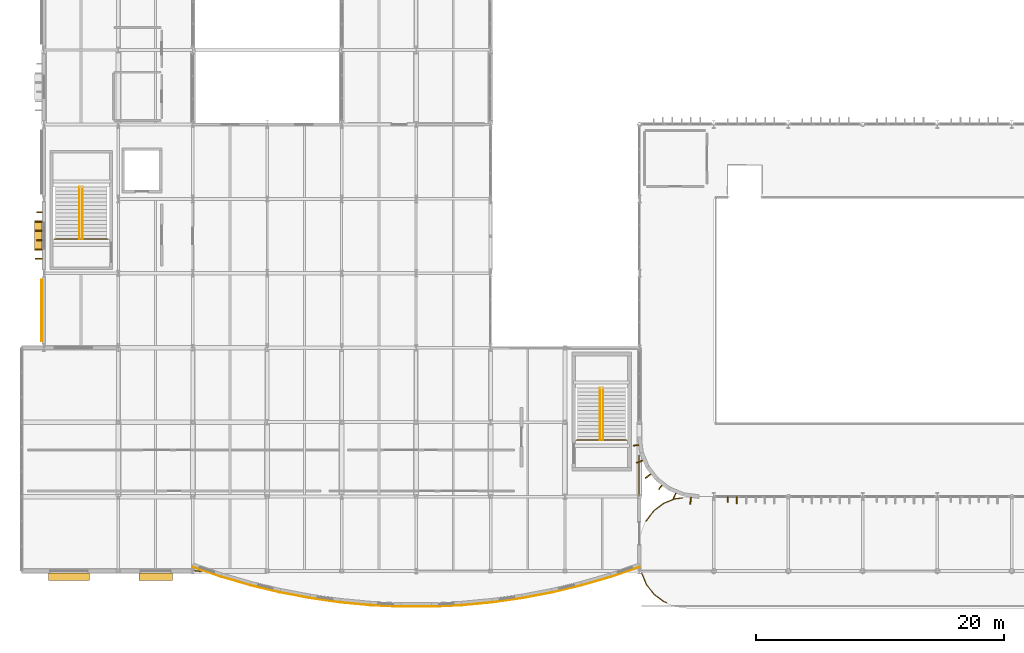
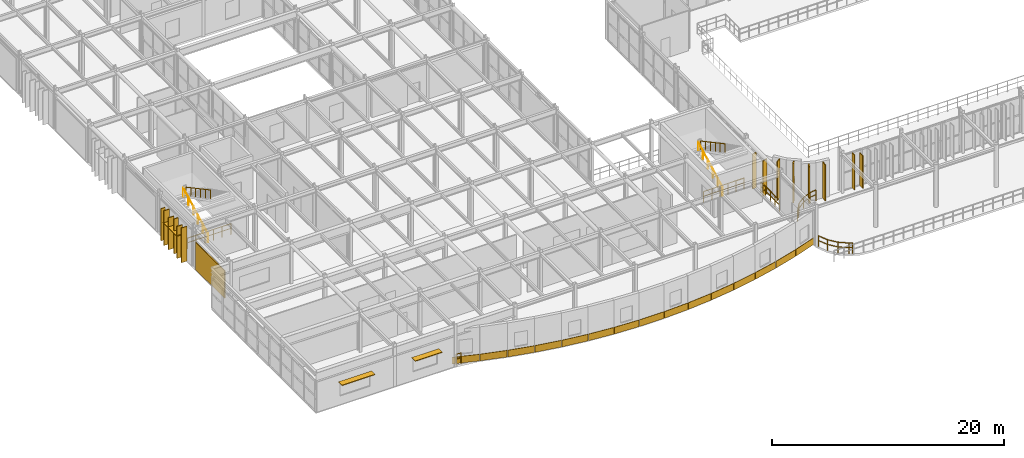
# One storey, part 80 of 96: 29 coverings, 11 railings, 4 shading devices.
"""IFC4 building model written with IfcOpenShell, lengths in metres."""

from ifc_helpers import new_model, si_unit, direction, frame, origin, origin_2d, place, context, subcontext, project, spatial, rectangle, circle, extrude, material, layer, layer_set, type_object, element, save


model = new_model("IFC4")

# Units and contexts
model_context = context("Model", 3, precision=1e-05, world=origin(), true_north=direction((0.0, 1.0)))
body_context = subcontext(model_context, "Body", "Model", "MODEL_VIEW")
ifc_project = project(units=[si_unit("LENGTHUNIT", "METRE"), si_unit("AREAUNIT", "SQUARE_METRE"), si_unit("VOLUMEUNIT", "CUBIC_METRE"), si_unit("PLANEANGLEUNIT", "RADIAN"), si_unit("MASSUNIT", "GRAM", prefix="KILO")], contexts=[model_context])

# Site, building, storey
site_placement = place(None, origin())
site = spatial("IfcSite", under=ifc_project, at=site_placement, CompositionType="ELEMENT")
building_placement = place(site_placement, origin())
building = spatial("IfcBuilding", under=site, at=building_placement, Name="Varnakota Square Police Headquarters", CompositionType="ELEMENT")
storey_placement = place(building_placement, frame((0.0, 0.0, 4.800048828125)))
storey = spatial("IfcBuildingStorey", under=building, at=storey_placement, Name="L01", CompositionType="ELEMENT", Elevation=4.800048828125)

# Coverings
ifc_material_1 = material(Name="Honavar Cream Limestone and White Precast Cladding", Category="masonry")
ifc_layer_1 = layer(ifc_material_1, 0.044921875, Name="Honavar Cream Limestone and White Precast Cladding")
ifc_layer_set_1 = layer_set([ifc_layer_1], Name="Honavar Cream Limestone and White Precast Cladding")
covering_type_1 = type_object("IfcCoveringType", Name="COV-CLD-PREC", PredefinedType="CLADDING", material=ifc_layer_set_1)
for number, where, z_axis, x_axis, name in (
    (1, (19.103515625, 2.9404296875, 0.0), (0.0, 0.0, 1.0), (0.946085358828, -0.323917418198, 0.0), "Colonnade precast spandrel cladding 01"),
    (2, (21.447021484375, 2.19921875, 0.0), (0.0, 0.0, 1.0), (0.960293685677, -0.278991106039, 0.0), "Colonnade precast spandrel cladding 02"),
    (3, (23.82275390625, 1.569091796875, 0.0), (0.0, 0.0, 1.0), (0.972369920398, -0.233445363856, 0.0), "Colonnade precast spandrel cladding 03"),
    (4, (26.2255859375, 1.0517578125, 0.0), (0.0, 0.0, 1.0), (0.982287250729, -0.187381314586, 0.0), "Colonnade precast spandrel cladding 04"),
    (5, (28.650146484375, 0.648193359375, 0.0), (0.0, 0.0, 1.0), (0.990023657717, -0.140901231938, 0.0), "Colonnade precast spandrel cladding 05"),
    (6, (31.091064453125, 0.359130859375, 0.0), (0.0, 0.0, 1.0), (0.995561964603, -0.094108313319, 0.0), "Colonnade precast spandrel cladding 06"),
    (7, (33.542724609375, 0.185546875, 0.0), (0.0, 0.0, 1.0), (0.998889874962, -0.04710645071, 0.0), "Colonnade precast spandrel cladding 07"),
    (8, (36.0, 0.127685546875, 0.0), (0.0, 0.0, 1.0), (1.0, 0.0, 0.0), "Colonnade precast spandrel cladding 08"),
    (9, (38.457275390625, 0.185546875, 0.0), (0.0, 0.0, 1.0), (0.998889874962, 0.04710645071, 0.0), "Colonnade precast spandrel cladding 09"),
    (10, (40.908935546875, 0.359130859375, 0.0), (0.0, 0.0, 1.0), (0.995561964603, 0.094108313319, 0.0), "Colonnade precast spandrel cladding 10"),
    (11, (43.349853515625, 0.648193359375, 0.0), (0.0, 0.0, 1.0), (0.990023657717, 0.140901231938, 0.0), "Colonnade precast spandrel cladding 11"),
    (12, (45.7744140625, 1.0517578125, 0.0), (0.0, 0.0, 1.0), (0.982287250729, 0.187381314586, 0.0), "Colonnade precast spandrel cladding 12"),
    (13, (48.17724609375, 1.569091796875, 0.0), (0.0, 0.0, 1.0), (0.972369920398, 0.233445363856, 0.0), "Colonnade precast spandrel cladding 13"),
    (14, (50.552978515625, 2.19921875, 0.0), (0.0, 0.0, 1.0), (0.960293685677, 0.278991106039, 0.0), "Colonnade precast spandrel cladding 14"),
    (15, (52.896484375, 2.9404296875, 0.0), (0.0, 0.0, 1.0), (0.946085358828, 0.323917418198, 0.0), "Colonnade precast spandrel cladding 15"),
):
    element("IfcCovering", number, at=place(storey_placement, frame(where, z_axis=z_axis, x_axis=x_axis)), inside=storey, type_object=covering_type_1, Name=name, PredefinedType="CLADDING", context=body_context, shape_type="SweptSolid", body=[
        extrude(rectangle(XDim=2.400390625, YDim=0.044921875, at=origin_2d()), origin(), (0.0, 0.0, 1.0), 0.699951171875),
    ])
ifc_material_2 = material(Name="White Anodised Aluminium Vertical Facade Blade 420", Category="aluminium")
ifc_layer_2 = layer(ifc_material_2, 0.0849609375, Name="White Anodised Aluminium Vertical Facade Blade 420")
ifc_layer_set_2 = layer_set([ifc_layer_2], Name="White Anodised Aluminium Vertical Facade Blade 420")
covering_type_2 = type_object("IfcCoveringType", Name="COV-FIN-420", PredefinedType="CLADDING", material=ifc_layer_set_2)
covering_1_placement = place(storey_placement, frame((61.1064453125, 8.762451171875, 0.0400390625), z_axis=(0.0, 0.0, 1.0), x_axis=(1.0, 0.0, 0.0)))
element("IfcCovering", 16, at=covering_1_placement, inside=storey, type_object=covering_type_2, Name="Vertical aluminium facade fin FIN-0055", PredefinedType="CLADDING", context=body_context, shape_type="SweptSolid", body=[
    extrude(rectangle(XDim=0.0849609375, YDim=0.419921875, at=origin_2d()), origin(), (0.0, 0.0, 1.0), 3.7099609375),
])
covering_2_placement = place(storey_placement, frame((53.729736328125, 13.132568359375, 0.0400390625), z_axis=(0.0, 0.0, 1.0), x_axis=(0.13052619222, -0.991444861374, 0.0)))
element("IfcCovering", 17, at=covering_2_placement, inside=storey, type_object=covering_type_2, Name="Vertical aluminium facade fin FIN-0127", PredefinedType="CLADDING", context=body_context, shape_type="SweptSolid", body=[
    extrude(rectangle(XDim=0.0849609375, YDim=0.419921875, at=origin_2d()), origin(), (0.0, 0.0, 1.0), 3.70361328125),
])
covering_3_placement = place(storey_placement, frame((55.686767578125, 9.742919921875, 0.0400390625), z_axis=(0.0, 0.0, 1.0), x_axis=(0.793353340291, -0.608761429009, 0.0)))
element("IfcCovering", 18, at=covering_3_placement, inside=storey, type_object=covering_type_2, Name="Vertical aluminium facade fin FIN-0130", PredefinedType="CLADDING", context=body_context, shape_type="SweptSolid", body=[
    extrude(rectangle(XDim=0.0849609375, YDim=0.419921875, at=origin_2d()), origin(), (0.0, 0.0, 1.0), 4.114990234375),
])
covering_4_placement = place(storey_placement, frame((5.64501953125, 29.66259765625, 0.0400390625), z_axis=(0.0, 0.0, 1.0), x_axis=(0.0, 1.0, 0.0)))
element("IfcCovering", 19, at=covering_4_placement, inside=storey, type_object=covering_type_2, Name="Vertical aluminium facade fin FIN-0926", PredefinedType="CLADDING", context=body_context, shape_type="SweptSolid", body=[
    extrude(rectangle(XDim=0.0849609375, YDim=0.419921875, at=origin_2d()), origin(), (0.0, 0.0, 1.0), 3.659912109375),
])
covering_5_placement = place(storey_placement, frame((5.64501953125, 31.91259765625, 0.0400390625), z_axis=(0.0, 0.0, 1.0), x_axis=(0.0, 1.0, 0.0)))
element("IfcCovering", 20, at=covering_5_placement, inside=storey, type_object=covering_type_2, Name="Vertical aluminium facade fin FIN-0929", PredefinedType="CLADDING", context=body_context, shape_type="SweptSolid", body=[
    extrude(rectangle(XDim=0.0849609375, YDim=0.419921875, at=origin_2d()), origin(), (0.0, 0.0, 1.0), 3.3798828125),
])
ifc_material_3 = material(Name="White Anodised Aluminium Vertical Facade Blade 550", Category="aluminium")
ifc_layer_3 = layer(ifc_material_3, 0.0849609375, Name="White Anodised Aluminium Vertical Facade Blade 550")
ifc_layer_set_3 = layer_set([ifc_layer_3], Name="White Anodised Aluminium Vertical Facade Blade 550")
covering_type_3 = type_object("IfcCoveringType", Name="COV-FIN-550", PredefinedType="CLADDING", material=ifc_layer_set_3)
covering_6_placement = place(storey_placement, frame((61.8564453125, 8.697509765625, 0.0400390625), z_axis=(0.0, 0.0, 1.0), x_axis=(1.0, 0.0, 0.0)))
element("IfcCovering", 21, at=covering_6_placement, inside=storey, type_object=covering_type_3, Name="Vertical aluminium facade fin FIN-0056", PredefinedType="CLADDING", context=body_context, shape_type="SweptSolid", body=[
    extrude(rectangle(XDim=0.0849609375, YDim=0.550048828125, at=origin_2d()), origin(), (0.0, 0.0, 1.0), 3.429931640625),
])
covering_7_placement = place(storey_placement, frame((54.015380859375, 11.818115234375, 0.0400390625), z_axis=(0.0, 0.0, 1.0), x_axis=(0.382683432365, -0.923879532511, 0.0)))
element("IfcCovering", 22, at=covering_7_placement, inside=storey, type_object=covering_type_3, Name="Vertical aluminium facade fin FIN-0128", PredefinedType="CLADDING", context=body_context, shape_type="SweptSolid", body=[
    extrude(rectangle(XDim=0.0849609375, YDim=0.550048828125, at=origin_2d()), origin(), (0.0, 0.0, 1.0), 3.70361328125),
])
covering_8_placement = place(storey_placement, frame((54.69140625, 10.647216796875, 0.0400390625), z_axis=(0.0, 0.0, 1.0), x_axis=(0.608761429009, -0.793353340291, 0.0)))
element("IfcCovering", 23, at=covering_8_placement, inside=storey, type_object=covering_type_3, Name="Vertical aluminium facade fin FIN-0129", PredefinedType="CLADDING", context=body_context, shape_type="SweptSolid", body=[
    extrude(rectangle(XDim=0.0849609375, YDim=0.550048828125, at=origin_2d()), origin(), (0.0, 0.0, 1.0), 4.114990234375),
])
for number, where, z_axis, x_axis, name in (
    (24, (56.818115234375, 9.015380859375, 0.0400390625), (0.0, 0.0, 1.0), (0.923879532511, -0.382683432365, 0.0), "Vertical aluminium facade fin FIN-0131"),
    (25, (58.1240234375, 8.665283203125, 0.0400390625), (0.0, 0.0, 1.0), (0.991444861374, -0.13052619222, 0.0), "Vertical aluminium facade fin FIN-0132"),
):
    element("IfcCovering", number, at=place(storey_placement, frame(where, z_axis=z_axis, x_axis=x_axis)), inside=storey, type_object=covering_type_3, Name=name, PredefinedType="CLADDING", context=body_context, shape_type="SweptSolid", body=[
        extrude(rectangle(XDim=0.0849609375, YDim=0.550048828125, at=origin_2d()), origin(), (0.0, 0.0, 1.0), 3.81005859375),
    ])
covering_9_placement = place(storey_placement, frame((5.580078125, 28.16259765625, 0.0400390625), z_axis=(0.0, 0.0, 1.0), x_axis=(0.0, 1.0, 0.0)))
element("IfcCovering", 26, at=covering_9_placement, inside=storey, type_object=covering_type_3, Name="Vertical aluminium facade fin FIN-0924", PredefinedType="CLADDING", context=body_context, shape_type="SweptSolid", body=[
    extrude(rectangle(XDim=0.0849609375, YDim=0.550048828125, at=origin_2d()), origin(), (0.0, 0.0, 1.0), 3.659912109375),
])
for number, where, z_axis, x_axis, name in (
    (27, (5.580078125, 28.91259765625, 0.0400390625), (0.0, 0.0, 1.0), (0.0, 1.0, 0.0), "Vertical aluminium facade fin FIN-0925"),
    (28, (5.580078125, 30.41259765625, 0.0400390625), (0.0, 0.0, 1.0), (0.0, 1.0, 0.0), "Vertical aluminium facade fin FIN-0927"),
):
    element("IfcCovering", number, at=place(storey_placement, frame(where, z_axis=z_axis, x_axis=x_axis)), inside=storey, type_object=covering_type_3, Name=name, PredefinedType="CLADDING", context=body_context, shape_type="SweptSolid", body=[
        extrude(rectangle(XDim=0.0849609375, YDim=0.550048828125, at=origin_2d()), origin(), (0.0, 0.0, 1.0), 3.3798828125),
    ])
covering_10_placement = place(storey_placement, frame((5.580078125, 31.16259765625, 0.0400390625), z_axis=(0.0, 0.0, 1.0), x_axis=(0.0, 1.0, 0.0)))
element("IfcCovering", 29, at=covering_10_placement, inside=storey, type_object=covering_type_3, Name="Vertical aluminium facade fin FIN-0928", PredefinedType="CLADDING", context=body_context, shape_type="SweptSolid", body=[
    extrude(rectangle(XDim=0.0849609375, YDim=0.550048828125, at=origin_2d()), origin(), (0.0, 0.0, 1.0), 3.659912109375),
])

# Railings
ifc_material_4 = material(Name="Galvanised Powder-Coated Steel Guardrail", Category="steel")
railing_type_1 = type_object("IfcRailingType", Name="RL-BAL-1150", PredefinedType="BALUSTRADE", material=ifc_material_4)
railing_1_placement = place(storey_placement, frame((56.197509765625, 0.43994140625, 0.0)))
element("IfcRailing", 30, at=railing_1_placement, inside=storey, type_object=railing_type_1, Name="Perimeter edge safety guard GD-AUTO-L01-034", PredefinedType="BALUSTRADE", context=body_context, shape_type="SweptSolid", body=[
    extrude(circle(Radius=0.02392578125, at=origin_2d()), frame((0.0, 0.0, 1.1259765625), z_axis=(-0.923835035561, 0.382790839847, 0.0), x_axis=(-0.382790839847, -0.923835035561, 0.0)), (0.0, 0.0, 1.0), 0.294677734375),
    extrude(circle(Radius=0.01806640625, at=origin_2d()), frame((0.0, 0.0, 0.63232421875), z_axis=(-0.923835035561, 0.382790839847, 0.0), x_axis=(-0.382790839847, -0.923835035561, 0.0)), (0.0, 0.0, 1.0), 0.294677734375),
    extrude(circle(Radius=0.02392578125, at=origin_2d()), frame((-0.272216796875, 0.11279296875, 1.1259765625), z_axis=(-0.793337338041, 0.60878228298, 0.0), x_axis=(-0.60878228298, -0.793337338041, 0.0)), (0.0, 0.0, 1.0), 0.97900390625),
    extrude(circle(Radius=0.01806640625, at=origin_2d()), frame((-0.272216796875, 0.11279296875, 0.63232421875), z_axis=(-0.793337338041, 0.60878228298, 0.0), x_axis=(-0.60878228298, -0.793337338041, 0.0)), (0.0, 0.0, 1.0), 0.97900390625),
    extrude(circle(Radius=0.02392578125, at=origin_2d()), frame((-1.048828125, 0.708740234375, 1.1259765625), z_axis=(-0.60878228298, 0.793337338041, 0.0), x_axis=(-0.793337338041, -0.60878228298, 0.0)), (0.0, 0.0, 1.0), 0.97900390625),
    extrude(circle(Radius=0.01806640625, at=origin_2d()), frame((-1.048828125, 0.708740234375, 0.63232421875), z_axis=(-0.60878228298, 0.793337338041, 0.0), x_axis=(-0.793337338041, -0.60878228298, 0.0)), (0.0, 0.0, 1.0), 0.97900390625),
    extrude(circle(Radius=0.02392578125, at=origin_2d()), frame((-1.644775390625, 1.4853515625, 1.1259765625), z_axis=(-0.38263083682, 0.923901316546, 0.0), x_axis=(-0.923901316546, -0.38263083682, 0.0)), (0.0, 0.0, 1.0), 0.978759765625),
    extrude(circle(Radius=0.01806640625, at=origin_2d()), frame((-1.644775390625, 1.4853515625, 0.63232421875), z_axis=(-0.38263083682, 0.923901316546, 0.0), x_axis=(-0.923901316546, -0.38263083682, 0.0)), (0.0, 0.0, 1.0), 0.978759765625),
    extrude(circle(Radius=0.02099609375, at=origin_2d()), origin(), (0.0, 0.0, 1.0), 1.101806640625),
    extrude(circle(Radius=0.02099609375, at=origin_2d()), frame((-0.272216796875, 0.11279296875, 0.0)), (0.0, 0.0, 1.0), 1.101806640625),
    extrude(circle(Radius=0.02099609375, at=origin_2d()), frame((-1.048828125, 0.708740234375, 0.0)), (0.0, 0.0, 1.0), 1.101806640625),
    extrude(circle(Radius=0.02099609375, at=origin_2d()), frame((-1.644775390625, 1.4853515625, 0.0)), (0.0, 0.0, 1.0), 1.101806640625),
    extrude(circle(Radius=0.02099609375, at=origin_2d()), frame((-2.019287109375, 2.3896484375, 0.0)), (0.0, 0.0, 1.0), 1.101806640625),
])
railing_2_placement = place(storey_placement, frame((18.663330078125, 2.96630859375, 0.0)))
element("IfcRailing", 31, at=railing_2_placement, inside=storey, type_object=railing_type_1, Name="Perimeter edge safety guard GD-AUTO-L01-035", PredefinedType="BALUSTRADE", context=body_context, shape_type="SweptSolid", body=[
    extrude(circle(Radius=0.02392578125, at=origin_2d()), frame((0.0, 0.0, 1.1259765625), z_axis=(-0.992047065076, 0.125867472663, 0.0), x_axis=(-0.125867472663, -0.992047065076, 0.0)), (0.0, 0.0, 1.0), 0.50830078125),
    extrude(circle(Radius=0.01806640625, at=origin_2d()), frame((0.0, 0.0, 0.63232421875), z_axis=(-0.992047065076, 0.125867472663, 0.0), x_axis=(-0.125867472663, -0.992047065076, 0.0)), (0.0, 0.0, 1.0), 0.50830078125),
    extrude(circle(Radius=0.02099609375, at=origin_2d()), origin(), (0.0, 0.0, 1.0), 1.101806640625),
    extrude(circle(Radius=0.02099609375, at=origin_2d()), frame((-0.504150390625, 0.06396484375, 0.0)), (0.0, 0.0, 1.0), 1.101806640625),
])
railing_3_placement = place(storey_placement, frame((55.148681640625, 7.851318359375, 0.0)))
element("IfcRailing", 32, at=railing_3_placement, inside=storey, type_object=railing_type_1, Name="Perimeter edge safety guard GD-AUTO-L01-044", PredefinedType="BALUSTRADE", context=body_context, shape_type="SweptSolid", body=[
    extrude(circle(Radius=0.02392578125, at=origin_2d()), frame((0.0, 0.0, 1.1259765625), z_axis=(0.793337338041, 0.60878228298, 0.0), x_axis=(-0.60878228298, 0.793337338041, 0.0)), (0.0, 0.0, 1.0), 0.97900390625),
    extrude(circle(Radius=0.01806640625, at=origin_2d()), frame((0.0, 0.0, 0.63232421875), z_axis=(0.793337338041, 0.60878228298, 0.0), x_axis=(-0.60878228298, 0.793337338041, 0.0)), (0.0, 0.0, 1.0), 0.97900390625),
    extrude(circle(Radius=0.02392578125, at=origin_2d()), frame((0.776611328125, 0.595947265625, 1.1259765625), z_axis=(0.923901316546, 0.38263083682, 0.0), x_axis=(-0.38263083682, 0.923901316546, 0.0)), (0.0, 0.0, 1.0), 0.978759765625),
    extrude(circle(Radius=0.01806640625, at=origin_2d()), frame((0.776611328125, 0.595947265625, 0.63232421875), z_axis=(0.923901316546, 0.38263083682, 0.0), x_axis=(-0.38263083682, 0.923901316546, 0.0)), (0.0, 0.0, 1.0), 0.978759765625),
    extrude(circle(Radius=0.02392578125, at=origin_2d()), frame((1.680908203125, 0.970458984375, 1.1259765625), z_axis=(0.991416030961, 0.130744994374, 0.0), x_axis=(-0.130744994374, 0.991416030961, 0.0)), (0.0, 0.0, 1.0), 0.608642578125),
    extrude(circle(Radius=0.01806640625, at=origin_2d()), frame((1.680908203125, 0.970458984375, 0.63232421875), z_axis=(0.991416030961, 0.130744994374, 0.0), x_axis=(-0.130744994374, 0.991416030961, 0.0)), (0.0, 0.0, 1.0), 0.608642578125),
    extrude(circle(Radius=0.02099609375, at=origin_2d()), origin(), (0.0, 0.0, 1.0), 1.101806640625),
    extrude(circle(Radius=0.02099609375, at=origin_2d()), frame((0.776611328125, 0.595947265625, 0.0)), (0.0, 0.0, 1.0), 1.101806640625),
    extrude(circle(Radius=0.02099609375, at=origin_2d()), frame((1.680908203125, 0.970458984375, 0.0)), (0.0, 0.0, 1.0), 1.101806640625),
    extrude(circle(Radius=0.02099609375, at=origin_2d()), frame((2.284423828125, 1.050048828125, 0.0)), (0.0, 0.0, 1.0), 1.101806640625),
])
railing_4_placement = place(storey_placement, frame((53.949951171875, 12.315673828125, 0.0)))
element("IfcRailing", 33, at=railing_4_placement, inside=storey, type_object=railing_type_1, Name="Perimeter edge safety guard GD-AUTO-L01-045", PredefinedType="BALUSTRADE", context=body_context, shape_type="SweptSolid", body=[
    extrude(circle(Radius=0.02392578125, at=origin_2d()), frame((0.0, 0.0, 1.1259765625), z_axis=(0.0, -1.0, 0.0), x_axis=(1.0, 0.0, 0.0)), (0.0, 0.0, 1.0), 3.1943359375),
    extrude(circle(Radius=0.01806640625, at=origin_2d()), frame((0.0, 0.0, 0.63232421875), z_axis=(0.0, -1.0, 0.0), x_axis=(1.0, 0.0, 0.0)), (0.0, 0.0, 1.0), 3.1943359375),
    extrude(circle(Radius=0.02099609375, at=origin_2d()), origin(), (0.0, 0.0, 1.0), 1.101806640625),
    extrude(circle(Radius=0.02099609375, at=origin_2d()), frame((0.0, -0.798583984375, 0.0)), (0.0, 0.0, 1.0), 1.101806640625),
    extrude(circle(Radius=0.02099609375, at=origin_2d()), frame((0.0, -1.59716796875, 0.0)), (0.0, 0.0, 1.0), 1.101806640625),
    extrude(circle(Radius=0.02099609375, at=origin_2d()), frame((0.0, -2.395751953125, 0.0)), (0.0, 0.0, 1.0), 1.101806640625),
    extrude(circle(Radius=0.02099609375, at=origin_2d()), frame((0.0, -3.1943359375, 0.0)), (0.0, 0.0, 1.0), 1.101806640625),
])
railing_5_placement = place(storey_placement, frame((54.537841796875, 7.038818359375, 0.0)))
element("IfcRailing", 34, at=railing_5_placement, inside=storey, type_object=railing_type_1, Name="Perimeter edge safety guard GD-AUTO-L01-046", PredefinedType="BALUSTRADE", context=body_context, shape_type="SweptSolid", body=[
    extrude(circle(Radius=0.02392578125, at=origin_2d()), frame((0.0, 0.0, 1.1259765625), z_axis=(0.600921879467, 0.799307759738, 0.0), x_axis=(-0.799307759738, 0.600921879467, 0.0)), (0.0, 0.0, 1.0), 1.0166015625),
    extrude(circle(Radius=0.01806640625, at=origin_2d()), frame((0.0, 0.0, 0.63232421875), z_axis=(0.600921879467, 0.799307759738, 0.0), x_axis=(-0.799307759738, 0.600921879467, 0.0)), (0.0, 0.0, 1.0), 1.0166015625),
    extrude(circle(Radius=0.02099609375, at=origin_2d()), origin(), (0.0, 0.0, 1.0), 1.101806640625),
    extrude(circle(Radius=0.02099609375, at=origin_2d()), frame((0.305419921875, 0.40625, 0.0)), (0.0, 0.0, 1.0), 1.101806640625),
    extrude(circle(Radius=0.02099609375, at=origin_2d()), frame((0.61083984375, 0.8125, 0.0)), (0.0, 0.0, 1.0), 1.101806640625),
])
ifc_material_5 = material(Name="Brushed Stainless Steel Tubular Handrail", Category="steel")
railing_type_2 = type_object("IfcRailingType", Name="RL-HND-920", PredefinedType="HANDRAIL", material=ifc_material_5)
railing_6_placement = place(storey_placement, frame((8.8798828125, 29.75, 0.0)))
element("IfcRailing", 35, at=railing_6_placement, inside=storey, type_object=railing_type_2, Name="Stair flight handrail HR-L01-045", PredefinedType="HANDRAIL", context=body_context, shape_type="SweptSolid", body=[
    extrude(circle(Radius=0.02392578125, at=origin_2d()), frame((0.0, 0.0, 0.89599609375), z_axis=(0.0, 0.881511956786, 0.472161699043), x_axis=(-1.0, 0.0, 0.0)), (0.0, 0.0, 1.0), 4.765380859375),
    extrude(circle(Radius=0.02099609375, at=origin_2d()), origin(), (0.0, 0.0, 1.0), 0.871826171875),
    extrude(circle(Radius=0.02099609375, at=origin_2d()), frame((0.0, 0.840087890625, 0.449951171875)), (0.0, 0.0, 1.0), 0.871826171875),
    extrude(circle(Radius=0.02099609375, at=origin_2d()), frame((0.0, 1.68017578125, 0.89990234375)), (0.0, 0.0, 1.0), 0.871826171875),
    extrude(circle(Radius=0.02099609375, at=origin_2d()), frame((0.0, 2.5205078125, 1.35009765625)), (0.0, 0.0, 1.0), 0.871826171875),
    extrude(circle(Radius=0.02099609375, at=origin_2d()), frame((0.0, 3.360595703125, 1.800048828125)), (0.0, 0.0, 1.0), 0.871826171875),
    extrude(circle(Radius=0.02099609375, at=origin_2d()), frame((0.0, 4.20068359375, 2.25)), (0.0, 0.0, 1.0), 0.871826171875),
])
railing_7_placement = place(storey_placement, frame((9.1201171875, 33.95068359375, 2.25)))
element("IfcRailing", 36, at=railing_7_placement, inside=storey, type_object=railing_type_2, Name="Stair flight handrail HR-L01-046", PredefinedType="HANDRAIL", context=body_context, shape_type="SweptSolid", body=[
    extrude(circle(Radius=0.02392578125, at=origin_2d()), frame((0.0, 0.0, 0.89599609375), z_axis=(0.0, -0.881511956786, 0.472161699043), x_axis=(1.0, 0.0, 0.0)), (0.0, 0.0, 1.0), 4.765380859375),
    extrude(circle(Radius=0.02099609375, at=origin_2d()), origin(), (0.0, 0.0, 1.0), 0.871826171875),
    extrude(circle(Radius=0.02099609375, at=origin_2d()), frame((0.0, -0.840087890625, 0.449951171875)), (0.0, 0.0, 1.0), 0.871826171875),
    extrude(circle(Radius=0.02099609375, at=origin_2d()), frame((0.0, -1.68017578125, 0.89990234375)), (0.0, 0.0, 1.0), 0.871826171875),
    extrude(circle(Radius=0.02099609375, at=origin_2d()), frame((0.0, -2.5205078125, 1.35009765625)), (0.0, 0.0, 1.0), 0.871826171875),
    extrude(circle(Radius=0.02099609375, at=origin_2d()), frame((0.0, -3.360595703125, 1.800048828125)), (0.0, 0.0, 1.0), 0.871826171875),
    extrude(circle(Radius=0.02099609375, at=origin_2d()), frame((0.0, -4.20068359375, 2.25)), (0.0, 0.0, 1.0), 0.871826171875),
])
railing_8_placement = place(storey_placement, frame((50.830078125, 13.550048828125, 0.0)))
element("IfcRailing", 37, at=railing_8_placement, inside=storey, type_object=railing_type_2, Name="Stair flight handrail HR-L01-099", PredefinedType="HANDRAIL", context=body_context, shape_type="SweptSolid", body=[
    extrude(circle(Radius=0.02392578125, at=origin_2d()), frame((0.0, 0.0, 0.89599609375), z_axis=(0.0, 0.881511956786, 0.472161699043), x_axis=(-1.0, 0.0, 0.0)), (0.0, 0.0, 1.0), 4.765380859375),
    extrude(circle(Radius=0.02099609375, at=origin_2d()), origin(), (0.0, 0.0, 1.0), 0.871826171875),
    extrude(circle(Radius=0.02099609375, at=origin_2d()), frame((0.0, 0.840087890625, 0.449951171875)), (0.0, 0.0, 1.0), 0.871826171875),
    extrude(circle(Radius=0.02099609375, at=origin_2d()), frame((0.0, 1.68017578125, 0.89990234375)), (0.0, 0.0, 1.0), 0.871826171875),
    extrude(circle(Radius=0.02099609375, at=origin_2d()), frame((0.0, 2.5205078125, 1.35009765625)), (0.0, 0.0, 1.0), 0.871826171875),
    extrude(circle(Radius=0.02099609375, at=origin_2d()), frame((0.0, 3.360595703125, 1.800048828125)), (0.0, 0.0, 1.0), 0.871826171875),
    extrude(circle(Radius=0.02099609375, at=origin_2d()), frame((0.0, 4.20068359375, 2.25)), (0.0, 0.0, 1.0), 0.871826171875),
])
railing_9_placement = place(storey_placement, frame((51.070068359375, 17.750732421875, 2.25)))
element("IfcRailing", 38, at=railing_9_placement, inside=storey, type_object=railing_type_2, Name="Stair flight handrail HR-L01-100", PredefinedType="HANDRAIL", context=body_context, shape_type="SweptSolid", body=[
    extrude(circle(Radius=0.02392578125, at=origin_2d()), frame((0.0, 0.0, 0.89599609375), z_axis=(0.0, -0.881511956786, 0.472161699043), x_axis=(1.0, 0.0, 0.0)), (0.0, 0.0, 1.0), 4.765380859375),
    extrude(circle(Radius=0.02099609375, at=origin_2d()), origin(), (0.0, 0.0, 1.0), 0.871826171875),
    extrude(circle(Radius=0.02099609375, at=origin_2d()), frame((0.0, -0.840087890625, 0.449951171875)), (0.0, 0.0, 1.0), 0.871826171875),
    extrude(circle(Radius=0.02099609375, at=origin_2d()), frame((0.0, -1.68017578125, 0.89990234375)), (0.0, 0.0, 1.0), 0.871826171875),
    extrude(circle(Radius=0.02099609375, at=origin_2d()), frame((0.0, -2.5205078125, 1.35009765625)), (0.0, 0.0, 1.0), 0.871826171875),
    extrude(circle(Radius=0.02099609375, at=origin_2d()), frame((0.0, -3.360595703125, 1.800048828125)), (0.0, 0.0, 1.0), 0.871826171875),
    extrude(circle(Radius=0.02099609375, at=origin_2d()), frame((0.0, -4.20068359375, 2.25)), (0.0, 0.0, 1.0), 0.871826171875),
])
ifc_material_6 = material(Name="Laminated Glass and Stainless Steel Balustrade", Category="steel")
railing_type_3 = type_object("IfcRailingType", Name="RL-INT-1150", PredefinedType="BALUSTRADE", material=ifc_material_6)
railing_10_placement = place(storey_placement, frame((6.840087890625, 29.75, 0.0)))
element("IfcRailing", 39, at=railing_10_placement, inside=storey, type_object=railing_type_3, Name="Stair well safety guard C4 L01", PredefinedType="BALUSTRADE", context=body_context, shape_type="SweptSolid", body=[
    extrude(circle(Radius=0.02392578125, at=origin_2d()), frame((0.0, 0.0, 1.1259765625), z_axis=(1.0, 0.0, 0.0), x_axis=(0.0, 1.0, 0.0)), (0.0, 0.0, 1.0), 4.31982421875),
    extrude(circle(Radius=0.01806640625, at=origin_2d()), frame((0.0, 0.0, 0.63232421875), z_axis=(1.0, 0.0, 0.0), x_axis=(0.0, 1.0, 0.0)), (0.0, 0.0, 1.0), 4.31982421875),
    extrude(circle(Radius=0.02099609375, at=origin_2d()), origin(), (0.0, 0.0, 1.0), 1.101806640625),
    extrude(circle(Radius=0.02099609375, at=origin_2d()), frame((0.864013671875, 0.0, 0.0)), (0.0, 0.0, 1.0), 1.101806640625),
    extrude(circle(Radius=0.02099609375, at=origin_2d()), frame((1.72802734375, 0.0, 0.0)), (0.0, 0.0, 1.0), 1.101806640625),
    extrude(circle(Radius=0.02099609375, at=origin_2d()), frame((2.591796875, 0.0, 0.0)), (0.0, 0.0, 1.0), 1.101806640625),
    extrude(circle(Radius=0.02099609375, at=origin_2d()), frame((3.455810546875, 0.0, 0.0)), (0.0, 0.0, 1.0), 1.101806640625),
    extrude(circle(Radius=0.02099609375, at=origin_2d()), frame((4.31982421875, 0.0, 0.0)), (0.0, 0.0, 1.0), 1.101806640625),
])
railing_11_placement = place(storey_placement, frame((48.93994140625, 13.550048828125, 0.0)))
element("IfcRailing", 40, at=railing_11_placement, inside=storey, type_object=railing_type_3, Name="Stair well safety guard C10 L01", PredefinedType="BALUSTRADE", context=body_context, shape_type="SweptSolid", body=[
    extrude(circle(Radius=0.02392578125, at=origin_2d()), frame((0.0, 0.0, 1.1259765625), z_axis=(1.0, 0.0, 0.0), x_axis=(0.0, 1.0, 0.0)), (0.0, 0.0, 1.0), 4.02001953125),
    extrude(circle(Radius=0.01806640625, at=origin_2d()), frame((0.0, 0.0, 0.63232421875), z_axis=(1.0, 0.0, 0.0), x_axis=(0.0, 1.0, 0.0)), (0.0, 0.0, 1.0), 4.02001953125),
    extrude(circle(Radius=0.02099609375, at=origin_2d()), origin(), (0.0, 0.0, 1.0), 1.101806640625),
    extrude(circle(Radius=0.02099609375, at=origin_2d()), frame((0.803955078125, 0.0, 0.0)), (0.0, 0.0, 1.0), 1.101806640625),
    extrude(circle(Radius=0.02099609375, at=origin_2d()), frame((1.60791015625, 0.0, 0.0)), (0.0, 0.0, 1.0), 1.101806640625),
    extrude(circle(Radius=0.02099609375, at=origin_2d()), frame((2.412109375, 0.0, 0.0)), (0.0, 0.0, 1.0), 1.101806640625),
    extrude(circle(Radius=0.02099609375, at=origin_2d()), frame((3.216064453125, 0.0, 0.0)), (0.0, 0.0, 1.0), 1.101806640625),
    extrude(circle(Radius=0.02099609375, at=origin_2d()), frame((4.02001953125, 0.0, 0.0)), (0.0, 0.0, 1.0), 1.101806640625),
])

# Shading devices
ifc_material_7 = material(Name="Anodised Aluminium Horizontal Brise-Soleil", Category="aluminium")
ifc_layer_4 = layer(ifc_material_7, 0.06005859375, Name="Anodised Aluminium Horizontal Brise-Soleil")
ifc_layer_set_4 = layer_set([ifc_layer_4], Name="Anodised Aluminium Horizontal Brise-Soleil")
shading_device_type_1 = type_object("IfcShadingDeviceType", Name="SHD-JAL-600", PredefinedType="JALOUSIE", material=ifc_layer_set_4)
shading_device_1_placement = place(storey_placement, frame((8.02294921875, 2.552001953125, 2.39990234375), z_axis=(0.0, 0.0, 1.0), x_axis=(1.0, 0.0, 0.0)))
element("IfcShadingDevice", 41, at=shading_device_1_placement, inside=storey, type_object=shading_device_type_1, Name="Horizontal sunshade SHD-001", PredefinedType="JALOUSIE", context=body_context, shape_type="SweptSolid", body=[
    extrude(rectangle(XDim=3.300048828125, YDim=0.60009765625, at=origin_2d()), origin(), (0.0, 0.0, 1.0), 0.06005859375),
])
shading_device_2_placement = place(storey_placement, frame((15.012451171875, 2.552001953125, 2.39990234375), z_axis=(0.0, 0.0, 1.0), x_axis=(1.0, 0.0, 0.0)))
element("IfcShadingDevice", 42, at=shading_device_2_placement, inside=storey, type_object=shading_device_type_1, Name="Horizontal sunshade SHD-002", PredefinedType="JALOUSIE", context=body_context, shape_type="SweptSolid", body=[
    extrude(rectangle(XDim=2.699951171875, YDim=0.60009765625, at=origin_2d()), origin(), (0.0, 0.0, 1.0), 0.06005859375),
])
shading_device_3_placement = place(storey_placement, frame((5.552001953125, 30.03759765625, 2.39990234375), z_axis=(0.0, 0.0, 1.0), x_axis=(0.0, 1.0, 0.0)))
element("IfcShadingDevice", 43, at=shading_device_3_placement, inside=storey, type_object=shading_device_type_1, Name="Horizontal sunshade SHD-045", PredefinedType="JALOUSIE", context=body_context, shape_type="SweptSolid", body=[
    extrude(rectangle(XDim=2.39990234375, YDim=0.60009765625, at=origin_2d()), origin(), (0.0, 0.0, 1.0), 0.06005859375),
])
ifc_material_8 = material(Name="Perforated Sandstone-Toned GRC Jali Screen", Category="masonry")
ifc_layer_5 = layer(ifc_material_8, 0.080078125, Name="Perforated Sandstone-Toned GRC Jali Screen")
ifc_layer_set_5 = layer_set([ifc_layer_5], Name="Perforated Sandstone-Toned GRC Jali Screen")
shading_device_type_2 = type_object("IfcShadingDeviceType", Name="SHD-SCR-GRC", PredefinedType="USERDEFINED", material=ifc_layer_set_5)
shading_device_4_placement = place(storey_placement, frame((5.81201171875, 24.0, 0.14990234375), z_axis=(0.0, 0.0, 1.0), x_axis=(0.0, 1.0, 0.0)))
element("IfcShadingDevice", 44, at=shading_device_4_placement, inside=storey, type_object=shading_device_type_2, Name="Perforated GRC solar screen SCR-004", ObjectType="SOLAR SCREEN", PredefinedType="USERDEFINED", context=body_context, shape_type="SweptSolid", body=[
    extrude(rectangle(XDim=4.991943359375, YDim=0.080078125, at=origin_2d()), origin(), (0.0, 0.0, 1.0), 2.889892578125),
])

save(model, "model.ifc")
